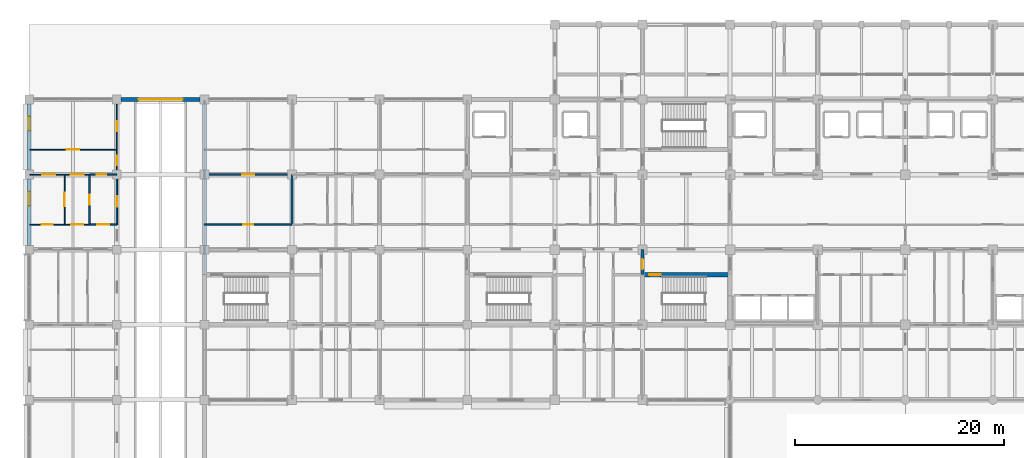
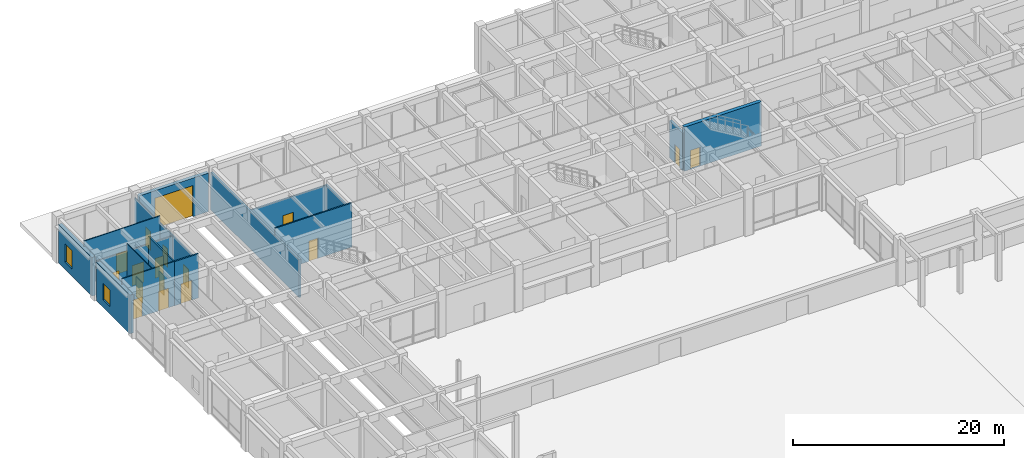
# One storey, part 43 of 73: 18 walls, 17 doors, 2 windows, 19 openings.
"""IFC4 building model written with IfcOpenShell, lengths in metres."""

from ifc_helpers import new_model, si_unit, direction, frame, frame_2d, origin, place, context, subcontext, project, spatial, rectangle, extrude, material, layer, layer_set, type_object, element, fill, save


model = new_model("IFC4")

# Units and contexts
model_context = context("Model", 3, precision=1e-05, world=origin(), true_north=direction((0.0, 1.0)))
body_context = subcontext(model_context, "Body", "Model", "MODEL_VIEW")
ifc_project = project(units=[si_unit("LENGTHUNIT", "METRE"), si_unit("AREAUNIT", "SQUARE_METRE"), si_unit("VOLUMEUNIT", "CUBIC_METRE"), si_unit("PLANEANGLEUNIT", "RADIAN"), si_unit("MASSUNIT", "GRAM", prefix="KILO")], contexts=[model_context])

# Site, building, storey
site_placement = place(None, origin())
site = spatial("IfcSite", under=ifc_project, at=site_placement, CompositionType="ELEMENT")
building_placement = place(site_placement, origin())
building = spatial("IfcBuilding", under=site, at=building_placement, Name="Chengyuan Square Courthouse", CompositionType="ELEMENT")
storey_placement = place(building_placement, origin())
storey = spatial("IfcBuildingStorey", under=building, at=storey_placement, Name="L01", CompositionType="ELEMENT", Elevation=0.0)

# Wall, opening, window
ifc_material_1 = material(Name="Concrete C40", Category="concrete")
ifc_layer_1 = layer(ifc_material_1, 0.3798828125)
ifc_layer_set_1 = layer_set([ifc_layer_1], Name="Concrete C40")
wall_type_1 = type_object("IfcWallType", Name="WL-EW1", PredefinedType="STANDARD", material=ifc_layer_set_1)
wall_1_placement = place(storey_placement, frame((0.0, 94.02001953125, 0.0), z_axis=(0.0, 0.0, 1.0), x_axis=(0.0, 1.0, 0.0)))
wall_1 = element("IfcWall", 1, at=wall_1_placement, inside=storey, type_object=wall_type_1, Name="Exterior Wall WL-L01-E151", PredefinedType="STANDARD", context=body_context, shape_type="SweptSolid", body=[
    extrude(rectangle(XDim=6.35986328125, YDim=0.3798828125, at=frame_2d((3.179931640625, 0.0))), origin(), (0.0, 0.0, 1.0), 4.469970703125),
])
opening_1_placement = place(wall_1_placement, frame((3.804931640625, 0.0, 0.85009765625)))
opening_1 = element("IfcOpeningElement", 2, at=opening_1_placement, cuts=wall_1, Name="Opening WN-005", PredefinedType="OPENING", context=body_context, shape_type="SweptSolid", body=[
    extrude(rectangle(XDim=1.35009765625, YDim=1.919921875, at=frame_2d((0.675048828125, 0.9599609375))), frame((0.0, 0.201904296875, 0.0), z_axis=(0.0, -1.0, 0.0), x_axis=(1.0, 0.0, 0.0)), (0.0, 0.0, 1.0), 0.40380859375),
])
ifc_material_2 = material(Name="Thermally Broken Aluminium Triple Low-E Window", Category="aluminium")
window_type_1 = type_object("IfcWindowType", Name="WT-23", PartitioningType="SINGLE_PANEL", PredefinedType="WINDOW", material=ifc_material_2)
window_1_placement = place(opening_1_placement, origin())
window_1 = element("IfcWindow", 3, at=window_1_placement, inside=storey, type_object=window_type_1, Name="Facade Window WN-005", OverallHeight=1.919921875, OverallWidth=1.35009765625, PartitioningType="SINGLE_PANEL", PredefinedType="WINDOW", context=body_context, shape_type="SweptSolid", body=[
    extrude(rectangle(XDim=1.35009765625, YDim=1.919921875, at=frame_2d((0.675048828125, 0.9599609375))), frame((0.0, 0.030029296875, 0.0), z_axis=(0.0, -1.0, 0.0), x_axis=(1.0, 0.0, 0.0)), (0.0, 0.0, 1.0), 0.06005859375),
])
fill(opening_1, window_1)

wall_2_placement = place(storey_placement, frame((0.0, 101.219970703125, 0.0), z_axis=(0.0, 0.0, 1.0), x_axis=(0.0, 1.0, 0.0)))
wall_2 = element("IfcWall", 4, at=wall_2_placement, inside=storey, type_object=wall_type_1, Name="Exterior Wall WL-L01-E152", PredefinedType="STANDARD", context=body_context, shape_type="SweptSolid", body=[
    extrude(rectangle(XDim=6.360107421875, YDim=0.3798828125, at=frame_2d((3.18017578125, 0.0))), origin(), (0.0, 0.0, 1.0), 4.469970703125),
])
opening_2_placement = place(wall_2_placement, frame((3.804931640625, 0.0, 0.85009765625)))
opening_2 = element("IfcOpeningElement", 5, at=opening_2_placement, cuts=wall_2, Name="Opening WN-006", PredefinedType="OPENING", context=body_context, shape_type="SweptSolid", body=[
    extrude(rectangle(XDim=1.35009765625, YDim=2.1201171875, at=frame_2d((0.675048828125, 1.06005859375))), frame((0.0, 0.201904296875, 0.0), z_axis=(0.0, -1.0, 0.0), x_axis=(1.0, 0.0, 0.0)), (0.0, 0.0, 1.0), 0.40380859375),
])
window_type_2 = type_object("IfcWindowType", Name="WT-24", PartitioningType="SINGLE_PANEL", PredefinedType="WINDOW", material=ifc_material_2)
window_2_placement = place(opening_2_placement, origin())
window_2 = element("IfcWindow", 6, at=window_2_placement, inside=storey, type_object=window_type_2, Name="Facade Window WN-006", OverallHeight=2.1201171875, OverallWidth=1.35009765625, PartitioningType="SINGLE_PANEL", PredefinedType="WINDOW", context=body_context, shape_type="SweptSolid", body=[
    extrude(rectangle(XDim=1.35009765625, YDim=2.1201171875, at=frame_2d((0.675048828125, 1.06005859375))), frame((0.0, 0.030029296875, 0.0), z_axis=(0.0, -1.0, 0.0), x_axis=(1.0, 0.0, 0.0)), (0.0, 0.0, 1.0), 0.06005859375),
])
fill(opening_2, window_2)

# Wall, opening, door
wall_3_placement = place(storey_placement, frame((8.820068359375, 108.0, 0.0), z_axis=(0.0, 0.0, 1.0), x_axis=(1.0, 0.0, 0.0)))
wall_3 = element("IfcWall", 7, at=wall_3_placement, inside=storey, type_object=wall_type_1, Name="Exterior Wall WL-L01-E161", PredefinedType="STANDARD", context=body_context, shape_type="SweptSolid", body=[
    extrude(rectangle(XDim=7.559814453125, YDim=0.3798828125, at=frame_2d((3.77978515625, 0.0))), origin(), (0.0, 0.0, 1.0), 4.469970703125),
])
opening_3_placement = place(wall_3_placement, frame((1.679931640625, 0.0, 0.0)))
opening_3 = element("IfcOpeningElement", 8, at=opening_3_placement, cuts=wall_3, Name="Opening RS-01", PredefinedType="OPENING", context=body_context, shape_type="SweptSolid", body=[
    extrude(rectangle(XDim=4.199951171875, YDim=3.60009765625, at=frame_2d((2.10009765625, 1.800048828125))), frame((0.0, 0.201904296875, 0.0), z_axis=(0.0, -1.0, 0.0), x_axis=(1.0, 0.0, 0.0)), (0.0, 0.0, 1.0), 0.40380859375),
])
ifc_material_3 = material(Name="Steel Q235B Roller Shutter", Category="steel")
door_type_1 = type_object("IfcDoorType", Name="DT-44", OperationType="ROLLINGUP", PredefinedType="GATE", material=ifc_material_3)
door_1_placement = place(opening_3_placement, origin())
door_1 = element("IfcDoor", 9, at=door_1_placement, inside=storey, type_object=door_type_1, Name="Secure Sally Port Roller Shutter Gate RS-01", OperationType="ROLLINGUP", OverallHeight=3.60009765625, OverallWidth=4.199951171875, PredefinedType="GATE", context=body_context, shape_type="SweptSolid", body=[
    extrude(rectangle(XDim=4.199951171875, YDim=3.60009765625, at=frame_2d((2.10009765625, 1.800048828125))), frame((0.0, 0.02490234375, 0.0), z_axis=(0.0, -1.0, 0.0), x_axis=(1.0, 0.0, 0.0)), (0.0, 0.0, 1.0), 0.050048828125),
])
fill(opening_3, door_1)

ifc_layer_2 = layer(ifc_material_1, 0.25)
ifc_layer_set_2 = layer_set([ifc_layer_2], Name="Concrete C40")
wall_type_2 = type_object("IfcWallType", Name="WL-FW1", PredefinedType="STANDARD", material=ifc_layer_set_2)
wall_4_placement = place(storey_placement, frame((58.800048828125, 91.199951171875, 0.0), z_axis=(0.0, 0.0, 1.0), x_axis=(0.0, 1.0, 0.0)))
wall_4 = element("IfcWall", 10, at=wall_4_placement, inside=storey, type_object=wall_type_2, Name="Interior Wall WL-L01-I880", PredefinedType="STANDARD", context=body_context, shape_type="SweptSolid", body=[
    extrude(rectangle(XDim=2.400146484375, YDim=0.25, at=frame_2d((1.2001953125, 0.0))), origin(), (0.0, 0.0, 1.0), 4.3701171875),
])
opening_4_placement = place(wall_4_placement, frame((0.5400390625, 0.0, 0.0)))
opening_4 = element("IfcOpeningElement", 11, at=opening_4_placement, cuts=wall_4, Name="Opening DR-676", PredefinedType="OPENING", context=body_context, shape_type="SweptSolid", body=[
    extrude(rectangle(XDim=0.949951171875, YDim=2.14990234375, at=frame_2d((0.47509765625, 1.074951171875))), frame((0.0, 0.136962890625, 0.0), z_axis=(0.0, -1.0, 0.0), x_axis=(1.0, 0.0, 0.0)), (0.0, 0.0, 1.0), 0.27392578125),
])
ifc_material_4 = material(Name="Steel Q235B Fire Door", Category="steel")
door_type_2 = type_object("IfcDoorType", Name="DT-12", OperationType="NOTDEFINED", PredefinedType="DOOR", material=ifc_material_4)
door_2_placement = place(opening_4_placement, origin())
door_2 = element("IfcDoor", 12, at=door_2_placement, inside=storey, type_object=door_type_2, Name="Interior Door DR-676", OperationType="SINGLE_SWING_RIGHT", OverallHeight=2.14990234375, OverallWidth=0.949951171875, PredefinedType="DOOR", context=body_context, shape_type="SweptSolid", body=[
    extrude(rectangle(XDim=0.949951171875, YDim=2.14990234375, at=frame_2d((0.47509765625, 1.074951171875))), frame((0.0, 0.02490234375, 0.0), z_axis=(0.0, -1.0, 0.0), x_axis=(1.0, 0.0, 0.0)), (0.0, 0.0, 1.0), 0.050048828125),
])
fill(opening_4, door_2)

ifc_material_5 = material(Name="Deliberation Room Sound-Insulated Partition")
ifc_layer_3 = layer(ifc_material_5, 0.14990234375)
ifc_layer_set_3 = layer_set([ifc_layer_3], Name="Deliberation Room Sound-Insulated Partition")
wall_type_3 = type_object("IfcWallType", Name="WL-PT3", PredefinedType="STANDARD", material=ifc_layer_set_3)
wall_5_placement = place(storey_placement, frame((5.800048828125, 96.0, 0.0), z_axis=(0.0, 0.0, 1.0), x_axis=(1.0, 0.0, 0.0)))
wall_5 = element("IfcWall", 13, at=wall_5_placement, inside=storey, type_object=wall_type_3, Name="Interior Wall WL-L01-I735", PredefinedType="STANDARD", context=body_context, shape_type="SweptSolid", body=[
    extrude(rectangle(XDim=2.599853515625, YDim=0.14990234375, at=frame_2d((1.2998046875, 0.0))), origin(), (0.0, 0.0, 1.0), 5.1201171875),
])
opening_5_placement = place(wall_5_placement, frame((0.719970703125, 0.0, 0.0)))
opening_5 = element("IfcOpeningElement", 14, at=opening_5_placement, cuts=wall_5, Name="Opening DR-789", PredefinedType="OPENING", context=body_context, shape_type="SweptSolid", body=[
    extrude(rectangle(XDim=1.159912109375, YDim=2.300048828125, at=frame_2d((0.580078125, 1.14990234375))), frame((0.0, 0.0869140625, 0.0), z_axis=(0.0, -1.0, 0.0), x_axis=(1.0, 0.0, 0.0)), (0.0, 0.0, 1.0), 0.173828125),
])
ifc_material_6 = material(Name="Acoustic Solid-Core Timber Door", Category="wood")
door_type_3 = type_object("IfcDoorType", Name="DT-35", OperationType="NOTDEFINED", PredefinedType="DOOR", material=ifc_material_6)
door_3_placement = place(opening_5_placement, origin())
door_3 = element("IfcDoor", 15, at=door_3_placement, inside=storey, type_object=door_type_3, Name="Interior Door DR-789", OperationType="SINGLE_SWING_RIGHT", OverallHeight=2.300048828125, OverallWidth=1.159912109375, PredefinedType="DOOR", context=body_context, shape_type="SweptSolid", body=[
    extrude(rectangle(XDim=1.159912109375, YDim=2.300048828125, at=frame_2d((0.580078125, 1.14990234375))), frame((0.0, 0.02490234375, 0.0), z_axis=(0.0, -1.0, 0.0), x_axis=(1.0, 0.0, 0.0)), (0.0, 0.0, 1.0), 0.050048828125),
])
fill(opening_5, door_3)

wall_6_placement = place(storey_placement, frame((16.800048828125, 96.0, 0.0), z_axis=(0.0, 0.0, 1.0), x_axis=(1.0, 0.0, 0.0)))
wall_6 = element("IfcWall", 16, at=wall_6_placement, inside=storey, type_object=wall_type_3, Name="Interior Wall WL-L01-I736", PredefinedType="STANDARD", context=body_context, shape_type="SweptSolid", body=[
    extrude(rectangle(XDim=8.39990234375, YDim=0.14990234375, at=frame_2d((4.199951171875, 0.0))), origin(), (0.0, 0.0, 1.0), 5.1201171875),
])
opening_6_placement = place(wall_6_placement, frame((3.7099609375, 0.0, 0.0)))
opening_6 = element("IfcOpeningElement", 17, at=opening_6_placement, cuts=wall_6, Name="Opening DR-794", PredefinedType="OPENING", context=body_context, shape_type="SweptSolid", body=[
    extrude(rectangle(XDim=0.97998046875, YDim=2.35009765625, at=frame_2d((0.489990234375, 1.175048828125))), frame((0.0, 0.0869140625, 0.0), z_axis=(0.0, -1.0, 0.0), x_axis=(1.0, 0.0, 0.0)), (0.0, 0.0, 1.0), 0.173828125),
])
door_type_4 = type_object("IfcDoorType", Name="DT-40", OperationType="NOTDEFINED", PredefinedType="DOOR", material=ifc_material_6)
door_4_placement = place(opening_6_placement, origin())
door_4 = element("IfcDoor", 18, at=door_4_placement, inside=storey, type_object=door_type_4, Name="Interior Door DR-794", OperationType="SINGLE_SWING_RIGHT", OverallHeight=2.35009765625, OverallWidth=0.97998046875, PredefinedType="DOOR", context=body_context, shape_type="SweptSolid", body=[
    extrude(rectangle(XDim=0.97998046875, YDim=2.35009765625, at=frame_2d((0.489990234375, 1.175048828125))), frame((0.0, 0.02490234375, 0.0), z_axis=(0.0, -1.0, 0.0), x_axis=(1.0, 0.0, 0.0)), (0.0, 0.0, 1.0), 0.050048828125),
])
fill(opening_6, door_4)

wall_7_placement = place(storey_placement, frame((5.800048828125, 100.800048828125, 0.0), z_axis=(0.0, 0.0, 1.0), x_axis=(1.0, 0.0, 0.0)))
wall_7 = element("IfcWall", 19, at=wall_7_placement, inside=storey, type_object=wall_type_3, Name="Interior Wall WL-L01-I750", PredefinedType="STANDARD", context=body_context, shape_type="SweptSolid", body=[
    extrude(rectangle(XDim=2.599853515625, YDim=0.14990234375, at=frame_2d((1.2998046875, 0.0))), origin(), (0.0, 0.0, 1.0), 4.27001953125),
])
opening_7_placement = place(wall_7_placement, frame((0.657470703125, 0.0, 0.0)))
opening_7 = element("IfcOpeningElement", 20, at=opening_7_placement, cuts=wall_7, Name="Opening DR-759", PredefinedType="OPENING", context=body_context, shape_type="SweptSolid", body=[
    extrude(rectangle(XDim=0.93994140625, YDim=2.300048828125, at=frame_2d((0.469970703125, 1.14990234375))), frame((0.0, 0.0869140625, 0.0), z_axis=(0.0, -1.0, 0.0), x_axis=(1.0, 0.0, 0.0)), (0.0, 0.0, 1.0), 0.173828125),
])
door_type_5 = type_object("IfcDoorType", Name="DT-39", OperationType="NOTDEFINED", PredefinedType="DOOR", material=ifc_material_6)
door_5_placement = place(opening_7_placement, origin())
door_5 = element("IfcDoor", 21, at=door_5_placement, inside=storey, type_object=door_type_5, Name="Interior Door DR-759", OperationType="SINGLE_SWING_LEFT", OverallHeight=2.300048828125, OverallWidth=0.93994140625, PredefinedType="DOOR", context=body_context, shape_type="SweptSolid", body=[
    extrude(rectangle(XDim=0.93994140625, YDim=2.300048828125, at=frame_2d((0.469970703125, 1.14990234375))), frame((0.0, 0.02490234375, 0.0), z_axis=(0.0, -1.0, 0.0), x_axis=(1.0, 0.0, 0.0)), (0.0, 0.0, 1.0), 0.050048828125),
])
fill(opening_7, door_5)

wall_8_placement = place(storey_placement, frame((16.800048828125, 100.800048828125, 0.0), z_axis=(0.0, 0.0, 1.0), x_axis=(1.0, 0.0, 0.0)))
wall_8 = element("IfcWall", 22, at=wall_8_placement, inside=storey, type_object=wall_type_3, Name="Interior Wall WL-L01-I751", PredefinedType="STANDARD", context=body_context, shape_type="SweptSolid", body=[
    extrude(rectangle(XDim=8.39990234375, YDim=0.14990234375, at=frame_2d((4.199951171875, 0.0))), origin(), (0.0, 0.0, 1.0), 4.27001953125),
])
opening_8_placement = place(wall_8_placement, frame((3.6298828125, 0.0, 0.0)))
opening_8 = element("IfcOpeningElement", 23, at=opening_8_placement, cuts=wall_8, Name="Opening DR-763", PredefinedType="OPENING", context=body_context, shape_type="SweptSolid", body=[
    extrude(rectangle(XDim=1.139892578125, YDim=2.39990234375, at=frame_2d((0.56982421875, 1.199951171875))), frame((0.0, 0.0869140625, 0.0), z_axis=(0.0, -1.0, 0.0), x_axis=(1.0, 0.0, 0.0)), (0.0, 0.0, 1.0), 0.173828125),
])
door_type_6 = type_object("IfcDoorType", Name="DT-43", OperationType="NOTDEFINED", PredefinedType="DOOR", material=ifc_material_6)
door_6_placement = place(opening_8_placement, origin())
door_6 = element("IfcDoor", 24, at=door_6_placement, inside=storey, type_object=door_type_6, Name="Interior Door DR-763", OperationType="SINGLE_SWING_LEFT", OverallHeight=2.39990234375, OverallWidth=1.139892578125, PredefinedType="DOOR", context=body_context, shape_type="SweptSolid", body=[
    extrude(rectangle(XDim=1.139892578125, YDim=2.39990234375, at=frame_2d((0.56982421875, 1.199951171875))), frame((0.0, 0.02490234375, 0.0), z_axis=(0.0, -1.0, 0.0), x_axis=(1.0, 0.0, 0.0)), (0.0, 0.0, 1.0), 0.050048828125),
])
fill(opening_8, door_6)

wall_9_placement = place(storey_placement, frame((5.800048828125, 96.0, 0.0), z_axis=(0.0, 0.0, 1.0), x_axis=(0.0, 1.0, 0.0)))
wall_9 = element("IfcWall", 25, at=wall_9_placement, inside=storey, type_object=wall_type_3, Name="Interior Wall WL-L01-I824", PredefinedType="STANDARD", context=body_context, shape_type="SweptSolid", body=[
    extrude(rectangle(XDim=4.800048828125, YDim=0.14990234375, at=frame_2d((2.39990234375, 0.0))), origin(), (0.0, 0.0, 1.0), 5.1201171875),
])
opening_9_placement = place(wall_9_placement, frame((1.929931640625, 0.0, 0.0)))
opening_9 = element("IfcOpeningElement", 26, at=opening_9_placement, cuts=wall_9, Name="Opening DR-844", PredefinedType="OPENING", context=body_context, shape_type="SweptSolid", body=[
    extrude(rectangle(XDim=0.93994140625, YDim=2.300048828125, at=frame_2d((0.469970703125, 1.14990234375))), frame((0.0, 0.0869140625, 0.0), z_axis=(0.0, -1.0, 0.0), x_axis=(1.0, 0.0, 0.0)), (0.0, 0.0, 1.0), 0.173828125),
])
door_7_placement = place(opening_9_placement, origin())
door_7 = element("IfcDoor", 27, at=door_7_placement, inside=storey, type_object=door_type_5, Name="Interior Door DR-844", OperationType="SINGLE_SWING_LEFT", OverallHeight=2.300048828125, OverallWidth=0.93994140625, PredefinedType="DOOR", context=body_context, shape_type="SweptSolid", body=[
    extrude(rectangle(XDim=0.93994140625, YDim=2.300048828125, at=frame_2d((0.469970703125, 1.14990234375))), frame((0.0, 0.02490234375, 0.0), z_axis=(0.0, -1.0, 0.0), x_axis=(1.0, 0.0, 0.0)), (0.0, 0.0, 1.0), 0.050048828125),
])
fill(opening_9, door_7)

wall_10_placement = place(storey_placement, frame((8.39990234375, 96.0, 0.0), z_axis=(0.0, 0.0, 1.0), x_axis=(0.0, 1.0, 0.0)))
wall_10 = element("IfcWall", 28, at=wall_10_placement, inside=storey, type_object=wall_type_3, Name="Interior Wall WL-L01-I829", PredefinedType="STANDARD", context=body_context, shape_type="SweptSolid", body=[
    extrude(rectangle(XDim=4.800048828125, YDim=0.14990234375, at=frame_2d((2.39990234375, 0.0))), origin(), (0.0, 0.0, 1.0), 4.3701171875),
])
opening_10_placement = place(wall_10_placement, frame((1.70751953125, 0.0, 0.0)))
opening_10 = element("IfcOpeningElement", 29, at=opening_10_placement, cuts=wall_10, Name="Opening DR-701", PredefinedType="OPENING", context=body_context, shape_type="SweptSolid", body=[
    extrude(rectangle(XDim=1.0400390625, YDim=2.199951171875, at=frame_2d((0.52001953125, 1.10009765625))), frame((0.0, 0.0869140625, 0.0), z_axis=(0.0, -1.0, 0.0), x_axis=(1.0, 0.0, 0.0)), (0.0, 0.0, 1.0), 0.173828125),
])
door_type_7 = type_object("IfcDoorType", Name="DT-32", OperationType="NOTDEFINED", PredefinedType="DOOR", material=ifc_material_6)
door_8_placement = place(opening_10_placement, origin())
door_8 = element("IfcDoor", 30, at=door_8_placement, inside=storey, type_object=door_type_7, Name="Interior Door DR-701", OperationType="SINGLE_SWING_RIGHT", OverallHeight=2.199951171875, OverallWidth=1.0400390625, PredefinedType="DOOR", context=body_context, shape_type="SweptSolid", body=[
    extrude(rectangle(XDim=1.0400390625, YDim=2.199951171875, at=frame_2d((0.52001953125, 1.10009765625))), frame((0.0, 0.02490234375, 0.0), z_axis=(0.0, -1.0, 0.0), x_axis=(1.0, 0.0, 0.0)), (0.0, 0.0, 1.0), 0.050048828125),
])
fill(opening_10, door_8)

# Wall
wall_11_placement = place(storey_placement, frame((25.199951171875, 96.0, 0.0), z_axis=(0.0, 0.0, 1.0), x_axis=(0.0, 1.0, 0.0)))
element("IfcWall", 31, at=wall_11_placement, inside=storey, type_object=wall_type_3, Name="Interior Wall WL-L01-I846", PredefinedType="STANDARD", context=body_context, shape_type="SweptSolid", body=[
    extrude(rectangle(XDim=4.800048828125, YDim=0.14990234375, at=frame_2d((2.39990234375, 0.0))), origin(), (0.0, 0.0, 1.0), 4.3701171875),
])

# Wall, openings, doors
ifc_material_7 = material(Name="Gypsum Plasterboard Acoustic Stud Partition")
ifc_layer_4 = layer(ifc_material_7, 0.10009765625)
ifc_layer_set_4 = layer_set([ifc_layer_4], Name="Gypsum Plasterboard Acoustic Stud Partition")
wall_type_4 = type_object("IfcWallType", Name="WL-PT6", PredefinedType="STANDARD", material=ifc_layer_set_4)
wall_12_placement = place(storey_placement, frame((0.0400390625, 96.0, 0.0), z_axis=(0.0, 0.0, 1.0), x_axis=(1.0, 0.0, 0.0)))
wall_12 = element("IfcWall", 32, at=wall_12_placement, inside=storey, type_object=wall_type_4, Name="Interior Wall WL-L01-I734", PredefinedType="STANDARD", context=body_context, shape_type="SweptSolid", body=[
    extrude(rectangle(XDim=5.760009765625, YDim=0.10009765625, at=frame_2d((2.8798828125, 0.0))), origin(), (0.0, 0.0, 1.0), 5.1201171875),
])
opening_11_placement = place(wall_12_placement, frame((1.139892578125, 0.0, 0.0)))
opening_11 = element("IfcOpeningElement", 33, at=opening_11_placement, cuts=wall_12, Name="Opening DR-787", PredefinedType="OPENING", context=body_context, shape_type="SweptSolid", body=[
    extrude(rectangle(XDim=1.080078125, YDim=2.25, at=frame_2d((0.5400390625, 1.125))), frame((0.0, 0.06201171875, 0.0), z_axis=(0.0, -1.0, 0.0), x_axis=(1.0, 0.0, 0.0)), (0.0, 0.0, 1.0), 0.1240234375),
])
opening_12_placement = place(wall_12_placement, frame((4.0, 0.0, 0.0)))
opening_12 = element("IfcOpeningElement", 34, at=opening_12_placement, cuts=wall_12, Name="Opening DR-788", PredefinedType="OPENING", context=body_context, shape_type="SweptSolid", body=[
    extrude(rectangle(XDim=1.1201171875, YDim=2.25, at=frame_2d((0.56005859375, 1.125))), frame((0.0, 0.06201171875, 0.0), z_axis=(0.0, -1.0, 0.0), x_axis=(1.0, 0.0, 0.0)), (0.0, 0.0, 1.0), 0.1240234375),
])
door_type_8 = type_object("IfcDoorType", Name="DT-33", OperationType="NOTDEFINED", PredefinedType="DOOR", material=ifc_material_6)
door_9_placement = place(opening_11_placement, origin())
door_9 = element("IfcDoor", 35, at=door_9_placement, inside=storey, type_object=door_type_8, Name="Interior Door DR-787", OperationType="SINGLE_SWING_RIGHT", OverallHeight=2.25, OverallWidth=1.080078125, PredefinedType="DOOR", context=body_context, shape_type="SweptSolid", body=[
    extrude(rectangle(XDim=1.080078125, YDim=2.25, at=frame_2d((0.5400390625, 1.125))), frame((0.0, 0.02490234375, 0.0), z_axis=(0.0, -1.0, 0.0), x_axis=(1.0, 0.0, 0.0)), (0.0, 0.0, 1.0), 0.050048828125),
])
fill(opening_11, door_9)
door_type_9 = type_object("IfcDoorType", Name="DT-34", OperationType="NOTDEFINED", PredefinedType="DOOR", material=ifc_material_6)
door_10_placement = place(opening_12_placement, origin())
door_10 = element("IfcDoor", 36, at=door_10_placement, inside=storey, type_object=door_type_9, Name="Interior Door DR-788", OperationType="SINGLE_SWING_LEFT", OverallHeight=2.25, OverallWidth=1.1201171875, PredefinedType="DOOR", context=body_context, shape_type="SweptSolid", body=[
    extrude(rectangle(XDim=1.1201171875, YDim=2.25, at=frame_2d((0.56005859375, 1.125))), frame((0.0, 0.02490234375, 0.0), z_axis=(0.0, -1.0, 0.0), x_axis=(1.0, 0.0, 0.0)), (0.0, 0.0, 1.0), 0.050048828125),
])
fill(opening_12, door_10)

wall_13_placement = place(storey_placement, frame((0.0400390625, 100.800048828125, 0.0), z_axis=(0.0, 0.0, 1.0), x_axis=(1.0, 0.0, 0.0)))
wall_13 = element("IfcWall", 37, at=wall_13_placement, inside=storey, type_object=wall_type_4, Name="Interior Wall WL-L01-I749", PredefinedType="STANDARD", context=body_context, shape_type="SweptSolid", body=[
    extrude(rectangle(XDim=5.760009765625, YDim=0.10009765625, at=frame_2d((2.8798828125, 0.0))), origin(), (0.0, 0.0, 1.0), 4.27001953125),
])
opening_13_placement = place(wall_13_placement, frame((1.21240234375, 0.0, 0.0)))
opening_13 = element("IfcOpeningElement", 38, at=opening_13_placement, cuts=wall_13, Name="Opening DR-757", PredefinedType="OPENING", context=body_context, shape_type="SweptSolid", body=[
    extrude(rectangle(XDim=1.239990234375, YDim=2.300048828125, at=frame_2d((0.6201171875, 1.14990234375))), frame((0.0, 0.06201171875, 0.0), z_axis=(0.0, -1.0, 0.0), x_axis=(1.0, 0.0, 0.0)), (0.0, 0.0, 1.0), 0.1240234375),
])
opening_14_placement = place(wall_13_placement, frame((3.919921875, 0.0, 0.0)))
opening_14 = element("IfcOpeningElement", 39, at=opening_14_placement, cuts=wall_13, Name="Opening DR-758", PredefinedType="OPENING", context=body_context, shape_type="SweptSolid", body=[
    extrude(rectangle(XDim=1.280029296875, YDim=2.35009765625, at=frame_2d((0.64013671875, 1.175048828125))), frame((0.0, 0.06201171875, 0.0), z_axis=(0.0, -1.0, 0.0), x_axis=(1.0, 0.0, 0.0)), (0.0, 0.0, 1.0), 0.1240234375),
])
door_type_10 = type_object("IfcDoorType", Name="DT-37", OperationType="NOTDEFINED", PredefinedType="DOOR", material=ifc_material_6)
door_11_placement = place(opening_13_placement, origin())
door_11 = element("IfcDoor", 40, at=door_11_placement, inside=storey, type_object=door_type_10, Name="Interior Door DR-757", OperationType="SINGLE_SWING_LEFT", OverallHeight=2.300048828125, OverallWidth=1.239990234375, PredefinedType="DOOR", context=body_context, shape_type="SweptSolid", body=[
    extrude(rectangle(XDim=1.239990234375, YDim=2.300048828125, at=frame_2d((0.6201171875, 1.14990234375))), frame((0.0, 0.02490234375, 0.0), z_axis=(0.0, -1.0, 0.0), x_axis=(1.0, 0.0, 0.0)), (0.0, 0.0, 1.0), 0.050048828125),
])
fill(opening_13, door_11)
door_type_11 = type_object("IfcDoorType", Name="DT-38", OperationType="NOTDEFINED", PredefinedType="DOOR", material=ifc_material_6)
door_12_placement = place(opening_14_placement, origin())
door_12 = element("IfcDoor", 41, at=door_12_placement, inside=storey, type_object=door_type_11, Name="Interior Door DR-758", OperationType="SINGLE_SWING_RIGHT", OverallHeight=2.35009765625, OverallWidth=1.280029296875, PredefinedType="DOOR", context=body_context, shape_type="SweptSolid", body=[
    extrude(rectangle(XDim=1.280029296875, YDim=2.35009765625, at=frame_2d((0.64013671875, 1.175048828125))), frame((0.0, 0.02490234375, 0.0), z_axis=(0.0, -1.0, 0.0), x_axis=(1.0, 0.0, 0.0)), (0.0, 0.0, 1.0), 0.050048828125),
])
fill(opening_14, door_12)

# Wall, opening, door
wall_14_placement = place(storey_placement, frame((0.0400390625, 103.199951171875, 0.0), z_axis=(0.0, 0.0, 1.0), x_axis=(1.0, 0.0, 0.0)))
wall_14 = element("IfcWall", 42, at=wall_14_placement, inside=storey, type_object=wall_type_4, Name="Interior Wall WL-L01-I770", PredefinedType="STANDARD", context=body_context, shape_type="SweptSolid", body=[
    extrude(rectangle(XDim=8.35986328125, YDim=0.10009765625, at=frame_2d((4.179931640625, 0.0))), origin(), (0.0, 0.0, 1.0), 5.1201171875),
])
opening_15_placement = place(wall_14_placement, frame((3.580078125, 0.0, 0.0)))
opening_15 = element("IfcOpeningElement", 43, at=opening_15_placement, cuts=wall_14, Name="Opening DR-756", PredefinedType="OPENING", context=body_context, shape_type="SweptSolid", body=[
    extrude(rectangle(XDim=1.199951171875, YDim=2.35009765625, at=frame_2d((0.60009765625, 1.175048828125))), frame((0.0, 0.06201171875, 0.0), z_axis=(0.0, -1.0, 0.0), x_axis=(1.0, 0.0, 0.0)), (0.0, 0.0, 1.0), 0.1240234375),
])
door_type_12 = type_object("IfcDoorType", Name="DT-36", OperationType="NOTDEFINED", PredefinedType="DOOR", material=ifc_material_6)
door_13_placement = place(opening_15_placement, origin())
door_13 = element("IfcDoor", 44, at=door_13_placement, inside=storey, type_object=door_type_12, Name="Interior Door DR-756", OperationType="SINGLE_SWING_RIGHT", OverallHeight=2.35009765625, OverallWidth=1.199951171875, PredefinedType="DOOR", context=body_context, shape_type="SweptSolid", body=[
    extrude(rectangle(XDim=1.199951171875, YDim=2.35009765625, at=frame_2d((0.60009765625, 1.175048828125))), frame((0.0, 0.02490234375, 0.0), z_axis=(0.0, -1.0, 0.0), x_axis=(1.0, 0.0, 0.0)), (0.0, 0.0, 1.0), 0.050048828125),
])
fill(opening_15, door_13)

wall_15_placement = place(storey_placement, frame((3.39990234375, 96.0, 0.0), z_axis=(0.0, 0.0, 1.0), x_axis=(0.0, 1.0, 0.0)))
wall_15 = element("IfcWall", 45, at=wall_15_placement, inside=storey, type_object=wall_type_4, Name="Interior Wall WL-L01-I821", PredefinedType="STANDARD", context=body_context, shape_type="SweptSolid", body=[
    extrude(rectangle(XDim=4.800048828125, YDim=0.10009765625, at=frame_2d((2.39990234375, 0.0))), origin(), (0.0, 0.0, 1.0), 5.1201171875),
])
opening_16_placement = place(wall_15_placement, frame((1.760009765625, 0.0, 0.0)))
opening_16 = element("IfcOpeningElement", 46, at=opening_16_placement, cuts=wall_15, Name="Opening DR-843", PredefinedType="OPENING", context=body_context, shape_type="SweptSolid", body=[
    extrude(rectangle(XDim=1.280029296875, YDim=2.35009765625, at=frame_2d((0.64013671875, 1.175048828125))), frame((0.0, 0.06201171875, 0.0), z_axis=(0.0, -1.0, 0.0), x_axis=(1.0, 0.0, 0.0)), (0.0, 0.0, 1.0), 0.1240234375),
])
door_14_placement = place(opening_16_placement, origin())
door_14 = element("IfcDoor", 47, at=door_14_placement, inside=storey, type_object=door_type_11, Name="Interior Door DR-843", OperationType="SINGLE_SWING_RIGHT", OverallHeight=2.35009765625, OverallWidth=1.280029296875, PredefinedType="DOOR", context=body_context, shape_type="SweptSolid", body=[
    extrude(rectangle(XDim=1.280029296875, YDim=2.35009765625, at=frame_2d((0.64013671875, 1.175048828125))), frame((0.0, 0.02490234375, 0.0), z_axis=(0.0, -1.0, 0.0), x_axis=(1.0, 0.0, 0.0)), (0.0, 0.0, 1.0), 0.050048828125),
])
fill(opening_16, door_14)

# Wall, openings, doors
wall_16_placement = place(storey_placement, frame((8.39990234375, 100.800048828125, 0.0), z_axis=(0.0, 0.0, 1.0), x_axis=(0.0, 1.0, 0.0)))
wall_16 = element("IfcWall", 48, at=wall_16_placement, inside=storey, type_object=wall_type_4, Name="Interior Wall WL-L01-I830", PredefinedType="STANDARD", context=body_context, shape_type="SweptSolid", body=[
    extrude(rectangle(XDim=7.159912109375, YDim=0.10009765625, at=frame_2d((3.580078125, 0.0))), origin(), (0.0, 0.0, 1.0), 4.3701171875),
])
opening_17_placement = place(wall_16_placement, frame((0.91259765625, 0.0, 0.0)))
opening_17 = element("IfcOpeningElement", 49, at=opening_17_placement, cuts=wall_16, Name="Opening DR-698", PredefinedType="OPENING", context=body_context, shape_type="SweptSolid", body=[
    extrude(rectangle(XDim=0.919921875, YDim=2.14990234375, at=frame_2d((0.4599609375, 1.074951171875))), frame((0.0, 0.06201171875, 0.0), z_axis=(0.0, -1.0, 0.0), x_axis=(1.0, 0.0, 0.0)), (0.0, 0.0, 1.0), 0.1240234375),
])
opening_18_placement = place(wall_16_placement, frame((4.1474609375, 0.0, 0.0)))
opening_18 = element("IfcOpeningElement", 50, at=opening_18_placement, cuts=wall_16, Name="Opening DR-699", PredefinedType="OPENING", context=body_context, shape_type="SweptSolid", body=[
    extrude(rectangle(XDim=0.9599609375, YDim=2.199951171875, at=frame_2d((0.47998046875, 1.10009765625))), frame((0.0, 0.06201171875, 0.0), z_axis=(0.0, -1.0, 0.0), x_axis=(1.0, 0.0, 0.0)), (0.0, 0.0, 1.0), 0.1240234375),
])
door_type_13 = type_object("IfcDoorType", Name="DT-29", OperationType="NOTDEFINED", PredefinedType="DOOR", material=ifc_material_6)
door_15_placement = place(opening_17_placement, origin())
door_15 = element("IfcDoor", 51, at=door_15_placement, inside=storey, type_object=door_type_13, Name="Interior Door DR-698", OperationType="SINGLE_SWING_LEFT", OverallHeight=2.14990234375, OverallWidth=0.919921875, PredefinedType="DOOR", context=body_context, shape_type="SweptSolid", body=[
    extrude(rectangle(XDim=0.919921875, YDim=2.14990234375, at=frame_2d((0.4599609375, 1.074951171875))), frame((0.0, 0.02490234375, 0.0), z_axis=(0.0, -1.0, 0.0), x_axis=(1.0, 0.0, 0.0)), (0.0, 0.0, 1.0), 0.050048828125),
])
fill(opening_17, door_15)
door_type_14 = type_object("IfcDoorType", Name="DT-30", OperationType="NOTDEFINED", PredefinedType="DOOR", material=ifc_material_6)
door_16_placement = place(opening_18_placement, origin())
door_16 = element("IfcDoor", 52, at=door_16_placement, inside=storey, type_object=door_type_14, Name="Interior Door DR-699", OperationType="SINGLE_SWING_RIGHT", OverallHeight=2.199951171875, OverallWidth=0.9599609375, PredefinedType="DOOR", context=body_context, shape_type="SweptSolid", body=[
    extrude(rectangle(XDim=0.9599609375, YDim=2.199951171875, at=frame_2d((0.47998046875, 1.10009765625))), frame((0.0, 0.02490234375, 0.0), z_axis=(0.0, -1.0, 0.0), x_axis=(1.0, 0.0, 0.0)), (0.0, 0.0, 1.0), 0.050048828125),
])
fill(opening_18, door_16)

# Wall
ifc_material_8 = material(Name="Reinforced Masonry Shaft Enclosure", Category="masonry")
ifc_layer_5 = layer(ifc_material_8, 0.199951171875)
ifc_layer_set_5 = layer_set([ifc_layer_5], Name="Reinforced Masonry Shaft Enclosure")
wall_type_5 = type_object("IfcWallType", Name="WL-SH1", PredefinedType="STANDARD", material=ifc_layer_set_5)
wall_17_placement = place(storey_placement, frame((16.800048828125, 91.199951171875, 0.0), z_axis=(0.0, 0.0, 1.0), x_axis=(0.0, 1.0, 0.0)))
element("IfcWall", 53, at=wall_17_placement, inside=storey, type_object=wall_type_5, Name="Interior Wall WL-L01-I842", PredefinedType="STANDARD", context=body_context, shape_type="SweptSolid", body=[
    extrude(rectangle(XDim=16.760009765625, YDim=0.199951171875, at=frame_2d((8.3798828125, 0.0))), origin(), (0.0, 0.0, 1.0), 4.3701171875),
])

# Wall, opening, door
ifc_material_9 = material(Name="Concrete C50", Category="concrete")
ifc_layer_6 = layer(ifc_material_9, 0.39990234375)
ifc_layer_set_6 = layer_set([ifc_layer_6], Name="Concrete C50")
wall_type_6 = type_object("IfcWallType", Name="WL-SW1", PredefinedType="SHEAR", material=ifc_layer_set_6)
wall_18_placement = place(storey_placement, frame((58.800048828125, 91.199951171875, 0.0), z_axis=(0.0, 0.0, 1.0), x_axis=(1.0, 0.0, 0.0)))
wall_18 = element("IfcWall", 54, at=wall_18_placement, inside=storey, type_object=wall_type_6, Name="Interior Wall WL-L01-I717", PredefinedType="SHEAR", context=body_context, shape_type="SweptSolid", body=[
    extrude(rectangle(XDim=8.39990234375, YDim=0.39990234375, at=frame_2d((4.199951171875, 0.0))), origin(), (0.0, 0.0, 1.0), 5.1201171875),
])
opening_19_placement = place(wall_18_placement, frame((0.64990234375, 0.0, 0.0)))
opening_19 = element("IfcOpeningElement", 55, at=opening_19_placement, cuts=wall_18, Name="Opening DR-660", PredefinedType="OPENING", context=body_context, shape_type="SweptSolid", body=[
    extrude(rectangle(XDim=1.10009765625, YDim=2.199951171875, at=frame_2d((0.550048828125, 1.10009765625))), frame((0.0, 0.2119140625, 0.0), z_axis=(0.0, -1.0, 0.0), x_axis=(1.0, 0.0, 0.0)), (0.0, 0.0, 1.0), 0.423828125),
])
door_type_15 = type_object("IfcDoorType", Name="DT-10", OperationType="NOTDEFINED", PredefinedType="DOOR", material=ifc_material_4)
door_17_placement = place(opening_19_placement, origin())
door_17 = element("IfcDoor", 56, at=door_17_placement, inside=storey, type_object=door_type_15, Name="Smoke-Proof Stairwell Fire Door ST-3 DR-660", OperationType="SINGLE_SWING_LEFT", OverallHeight=2.199951171875, OverallWidth=1.10009765625, PredefinedType="DOOR", context=body_context, shape_type="SweptSolid", body=[
    extrude(rectangle(XDim=1.10009765625, YDim=2.199951171875, at=frame_2d((0.550048828125, 1.10009765625))), frame((0.0, 0.02490234375, 0.0), z_axis=(0.0, -1.0, 0.0), x_axis=(1.0, 0.0, 0.0)), (0.0, 0.0, 1.0), 0.050048828125),
])
fill(opening_19, door_17)

save(model, "model.ifc")
